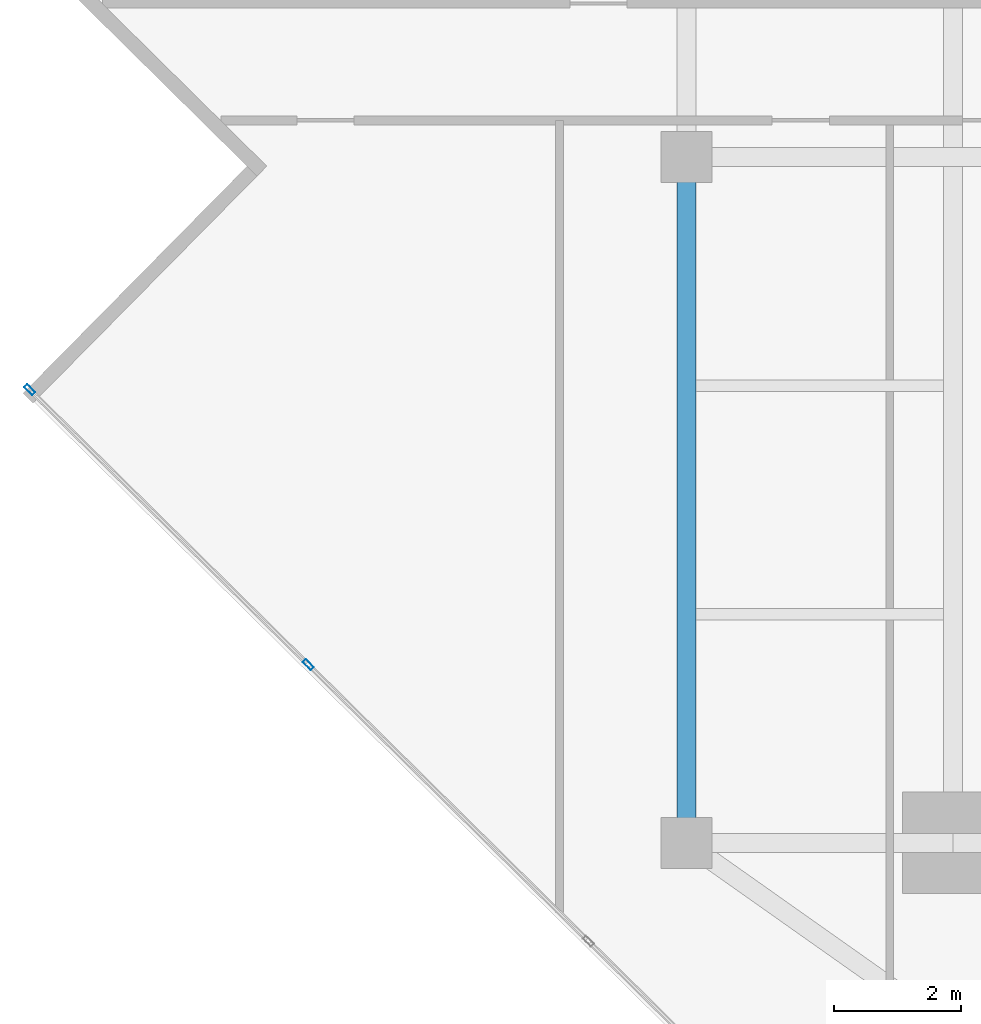
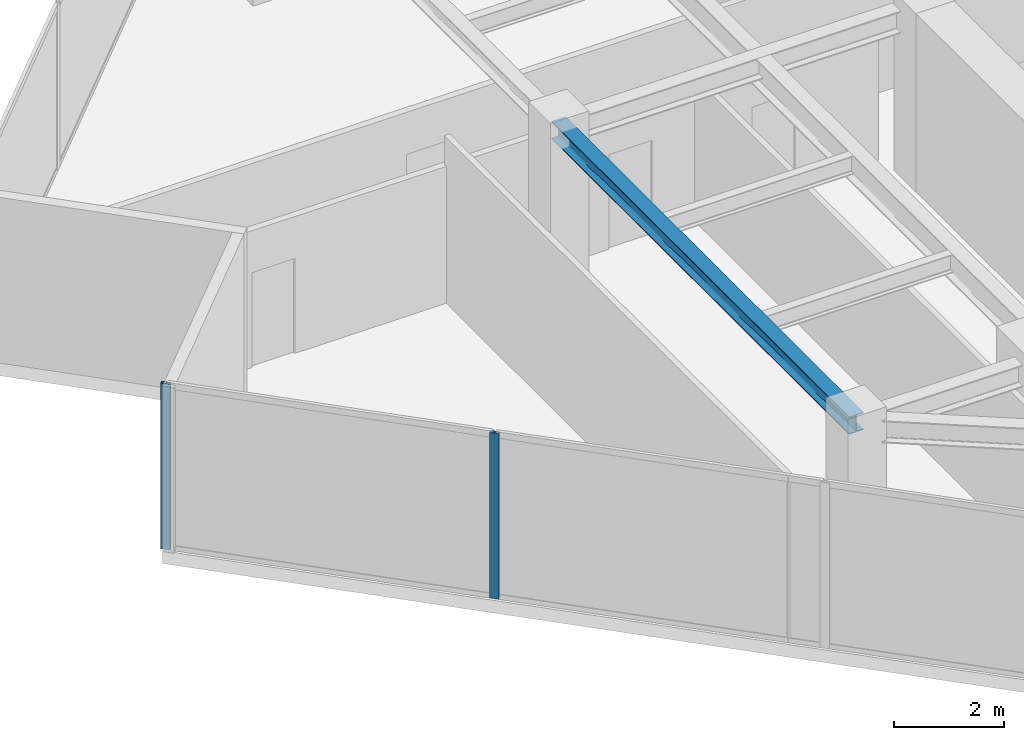
# One storey, part 5 of 24: 2 members, 1 beam, 1 element without a shape of its own.
"""IFC4 building model written with IfcOpenShell, lengths in metres."""

from ifc_helpers import new_model, si_unit, direction, frame, origin, origin_2d, place, context, subcontext, project, spatial, hollow_rectangle, i_section, extrude, source, transform, mapped, material, material_profile, profile_set, type_object, type_shapes, element, aggregate, save


model = new_model("IFC4")

# Units and contexts
model_context = context("Model", 3, precision=1e-05, world=origin(), true_north=direction((0.0, 1.0)))
body_context = subcontext(model_context, "Body", "Model", "MODEL_VIEW")
ifc_project = project(units=[si_unit("LENGTHUNIT", "METRE"), si_unit("AREAUNIT", "SQUARE_METRE"), si_unit("VOLUMEUNIT", "CUBIC_METRE"), si_unit("PLANEANGLEUNIT", "RADIAN"), si_unit("MASSUNIT", "GRAM", prefix="KILO")], contexts=[model_context])

# Site, building, storey
site_placement = place(None, origin())
site = spatial("IfcSite", under=ifc_project, at=site_placement, CompositionType="ELEMENT")
building_placement = place(site_placement, origin())
building = spatial("IfcBuilding", under=site, at=building_placement, Name="Krantzveldt Concourse Tower", CompositionType="ELEMENT")
storey_placement = place(building_placement, frame((0.0, 0.0, 234.949951171875)))
storey = spatial("IfcBuildingStorey", under=building, at=storey_placement, Name="L57", CompositionType="ELEMENT", Elevation=234.949951171875)

# Beam
ifc_material_1 = material(Name="Steel S355JR", Category="steel")
ifc_material_profile_1 = material_profile(ifc_material_1, i_section(OverallWidth=0.300048828125, OverallDepth=0.389892578125, WebThickness=0.010986328125, FlangeThickness=0.01904296875, FilletRadius=0.027099609375, at=origin_2d()), Name="Steel S355JR", Category="steel")
ifc_profile_set_1 = profile_set([ifc_material_profile_1], Name="Steel S355JR - HEA 400")
beam_type = type_object("IfcBeamType", Name="BM-SP-HEA400", PredefinedType="SPANDREL", material=ifc_profile_set_1)
shared_shape_1 = source(origin(), body_context, "Body", "SweptSolid", [
    extrude(i_section(OverallWidth=0.300048828125, OverallDepth=0.389892578125, WebThickness=0.010986328125, FlangeThickness=0.01904296875, FilletRadius=0.027099609375, at=origin_2d()), origin(), (0.0, 0.0, 1.0), 10.800048828125),
])
type_shapes(beam_type, [shared_shape_1])
beam_placement = place(storey_placement, frame((21.0, 15.89990234375, 3.47509765625), z_axis=(0.0, 1.0, 0.0), x_axis=(-1.0, 0.0, 0.0)))
element("IfcBeam", 1, at=beam_placement, inside=storey, type_object=beam_type, Name="L57 Tower Girder SP-R01", PredefinedType="SPANDREL", context=body_context, shape_type="MappedRepresentation", body=[
    mapped(shared_shape_1, transform((0.0, 0.0, 0.0), x_axis=(1.0, 0.0, 0.0), y_axis=(0.0, 1.0, 0.0), z_axis=(0.0, 0.0, 1.0), scale=1.0)),
])

# Curtain wall, members
ifc_material_2 = material(Name="Anodised aluminium 6063-T6", Category="aluminium")
curtain_wall_type = type_object("IfcCurtainWallType", Name="CW3", PredefinedType="USERDEFINED", material=ifc_material_2)
curtain_wall_placement = place(storey_placement, origin())
curtain_wall = element("IfcCurtainWall", 2, at=curtain_wall_placement, inside=storey, type_object=curtain_wall_type, Name="CW-L57-F04", ObjectType="UNITISED CURTAIN WALL", PredefinedType="USERDEFINED")
ifc_material_profile_2 = material_profile(ifc_material_2, hollow_rectangle(XDim=0.070068359375, YDim=0.179931640625, WallThickness=0.0048828125, at=origin_2d()), Name="Anodised aluminium 6063-T6", Category="aluminium")
ifc_profile_set_2 = profile_set([ifc_material_profile_2], Name="Anodised aluminium 6063-T6 - ALU-MULL 180x70x5")
member_type = type_object("IfcMemberType", Name="CW-MUL-180", PredefinedType="MULLION", material=ifc_profile_set_2)
shared_shape_2 = source(origin(), body_context, "Body", "SweptSolid", [
    extrude(hollow_rectangle(XDim=0.070068359375, YDim=0.179931640625, WallThickness=0.0048828125, at=origin_2d()), origin(), (0.0, 0.0, 1.0), 3.670166015625),
])
type_shapes(member_type, [shared_shape_2])
member_1_placement = place(storey_placement, frame((10.656005859375, 23.037353515625, 0.0), z_axis=(0.0, 0.0, 1.0), x_axis=(0.702463570854, 0.711719700179, 0.0)))
member_1 = element("IfcMember", 3, at=member_1_placement, type_object=member_type, Name="CW-Z34 mullion 1", PredefinedType="MULLION", context=body_context, shape_type="MappedRepresentation", body=[
    mapped(shared_shape_2, transform((0.0, 0.0, 0.0), x_axis=(1.0, 0.0, 0.0), y_axis=(0.0, 1.0, 0.0), z_axis=(0.0, 0.0, 1.0), scale=1.0)),
])
member_2_placement = place(storey_placement, frame((15.043701171875, 18.706787109375, 0.0), z_axis=(0.0, 0.0, 1.0), x_axis=(0.702463570854, 0.711719700179, 0.0)))
member_2 = element("IfcMember", 4, at=member_2_placement, type_object=member_type, Name="CW-Z34 mullion 2", PredefinedType="MULLION", context=body_context, shape_type="MappedRepresentation", body=[
    mapped(shared_shape_2, transform((0.0, 0.0, 0.0), x_axis=(1.0, 0.0, 0.0), y_axis=(0.0, 1.0, 0.0), z_axis=(0.0, 0.0, 1.0), scale=1.0)),
])
aggregate(curtain_wall, [member_1, member_2])

save(model, "model.ifc")
